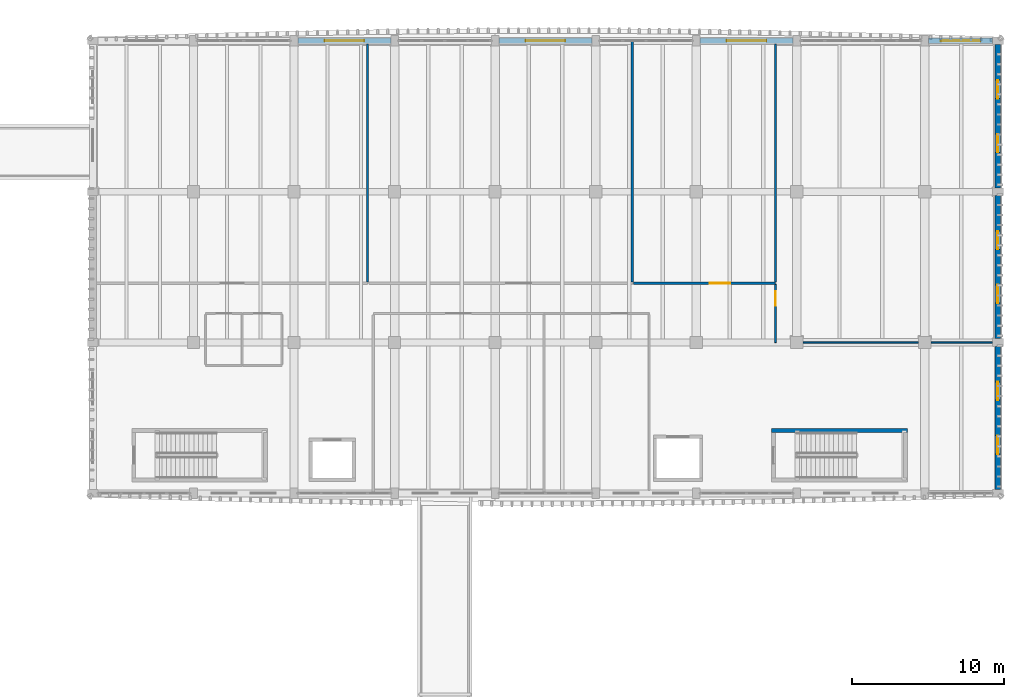
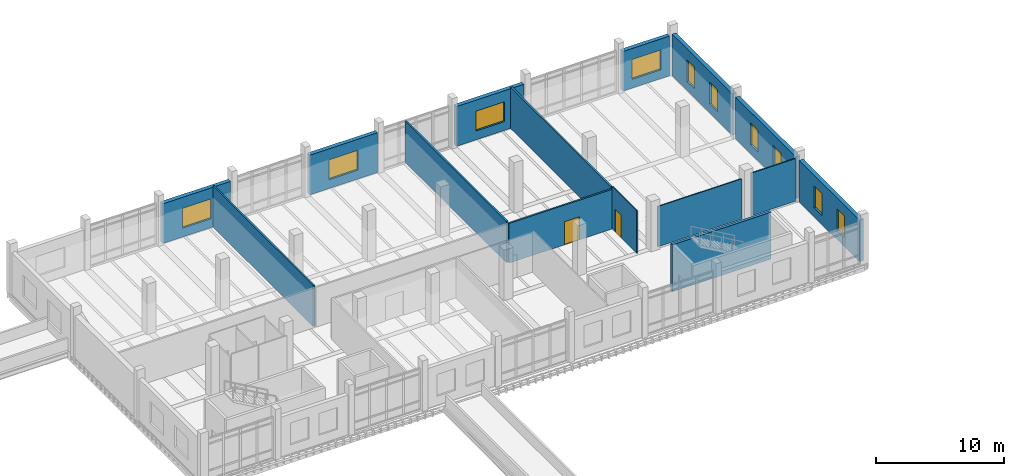
# One storey, part 78 of 101: 15 walls, 10 windows, 2 doors, 12 openings.
"""IFC4 building model written with IfcOpenShell, lengths in metres."""

from ifc_helpers import new_model, si_unit, direction, frame, frame_2d, origin, place, context, subcontext, project, spatial, rectangle, extrude, material, layer, layer_set, type_object, element, fill, save


model = new_model("IFC4")

# Units and contexts
model_context = context("Model", 3, precision=1e-05, world=origin(), true_north=direction((0.0, 1.0)))
body_context = subcontext(model_context, "Body", "Model", "MODEL_VIEW")
ifc_project = project(units=[si_unit("LENGTHUNIT", "METRE"), si_unit("AREAUNIT", "SQUARE_METRE"), si_unit("VOLUMEUNIT", "CUBIC_METRE"), si_unit("PLANEANGLEUNIT", "RADIAN"), si_unit("MASSUNIT", "GRAM", prefix="KILO")], contexts=[model_context])

# Site, building, storey
site_placement = place(None, origin())
site = spatial("IfcSite", under=ifc_project, at=site_placement, CompositionType="ELEMENT")
building_placement = place(site_placement, origin())
building = spatial("IfcBuilding", under=site, at=building_placement, Name="Dornvale Research Institute", CompositionType="ELEMENT")
storey_placement = place(building_placement, frame((0.0, 0.0, 10.199951171875)))
storey = spatial("IfcBuildingStorey", under=building, at=storey_placement, Name="L02", CompositionType="ELEMENT", Elevation=10.199951171875)

# Walls
ifc_material_1 = material(Name="Acoustic Insulated Double-Stud Laboratory Partition")
ifc_layer_1 = layer(ifc_material_1, 0.14990234375)
ifc_layer_set_1 = layer_set([ifc_layer_1], Name="Acoustic Insulated Double-Stud Laboratory Partition")
wall_type_1 = type_object("IfcWallType", Name="Partition_Lab_150", PredefinedType="PARTITIONING", material=ifc_layer_set_1)
wall_1_placement = place(storey_placement, frame((136.820068359375, 106.2900390625, 0.0), z_axis=(0.0, 0.0, 1.0), x_axis=(0.0, 1.0, 0.0)))
element("IfcWall", 1, at=wall_1_placement, inside=storey, type_object=wall_type_1, Name="L02 V4 interior partition #274", PredefinedType="PARTITIONING", context=body_context, shape_type="SweptSolid", body=[
    extrude(rectangle(XDim=15.614990234375, YDim=0.14990234375, at=frame_2d((7.8076171875, 0.0))), origin(), (0.0, 0.0, 1.0), 3.929931640625),
])
wall_2_placement = place(storey_placement, frame((154.199951171875, 106.2900390625, 0.0), z_axis=(0.0, 0.0, 1.0), x_axis=(0.0, 1.0, 0.0)))
element("IfcWall", 2, at=wall_2_placement, inside=storey, type_object=wall_type_1, Name="L02 V4 interior partition #276", PredefinedType="PARTITIONING", context=body_context, shape_type="SweptSolid", body=[
    extrude(rectangle(XDim=15.77001953125, YDim=0.14990234375, at=frame_2d((7.885009765625, 0.0))), origin(), (0.0, 0.0, 1.0), 3.929931640625),
])

# Wall, opening, door
wall_3_placement = place(storey_placement, frame((154.2900390625, 106.199951171875, 0.0), z_axis=(0.0, 0.0, 1.0), x_axis=(1.0, 0.0, 0.0)))
wall_3 = element("IfcWall", 3, at=wall_3_placement, inside=storey, type_object=wall_type_1, Name="L02 V4 interior partition #277", PredefinedType="PARTITIONING", context=body_context, shape_type="SweptSolid", body=[
    extrude(rectangle(XDim=9.31005859375, YDim=0.14990234375, at=frame_2d((4.655029296875, 0.0))), origin(), (0.0, 0.0, 1.0), 3.780029296875),
])
opening_1_placement = place(wall_3_placement, frame((4.989990234375, 0.0, 0.0)))
opening_1 = element("IfcOpeningElement", 4, at=opening_1_placement, cuts=wall_3, Name="Opening ID-15", PredefinedType="OPENING", context=body_context, shape_type="SweptSolid", body=[
    extrude(rectangle(XDim=1.340087890625, YDim=2.199951171875, at=frame_2d((0.669921875, 1.10009765625))), frame((0.0, 0.08984375, 0.0), z_axis=(0.0, -1.0, 0.0), x_axis=(1.0, 0.0, 0.0)), (0.0, 0.0, 1.0), 0.179931640625),
])
ifc_material_2 = material(Name="Insulated Fire-Rated Hollow Metal Door Assembly")
door_type_1 = type_object("IfcDoorType", Name="Door_Storage_1340x2200", OperationType="SINGLE_SWING_LEFT", PredefinedType="DOOR", material=ifc_material_2)
door_1_placement = place(opening_1_placement, origin())
door_1 = element("IfcDoor", 5, at=door_1_placement, inside=storey, type_object=door_type_1, Name="L02 Chemical Reagent Cold Storage L02 door #113", OperationType="SINGLE_SWING_RIGHT", OverallHeight=2.199951171875, OverallWidth=1.340087890625, PredefinedType="DOOR", context=body_context, shape_type="SweptSolid", body=[
    extrude(rectangle(XDim=1.340087890625, YDim=2.199951171875, at=frame_2d((0.669921875, 1.10009765625))), frame((0.0, 0.02490234375, 0.0), z_axis=(0.0, -1.0, 0.0), x_axis=(1.0, 0.0, 0.0)), (0.0, 0.0, 1.0), 0.050048828125),
])
fill(opening_1, door_1)

# Walls
wall_4_placement = place(storey_placement, frame((163.60009765625, 106.2900390625, 0.0), z_axis=(0.0, 0.0, 1.0), x_axis=(0.0, 1.0, 0.0)))
element("IfcWall", 6, at=wall_4_placement, inside=storey, type_object=wall_type_1, Name="L02 V4 interior partition #278", PredefinedType="PARTITIONING", context=body_context, shape_type="SweptSolid", body=[
    extrude(rectangle(XDim=15.614990234375, YDim=0.14990234375, at=frame_2d((7.8076171875, 0.0))), origin(), (0.0, 0.0, 1.0), 3.929931640625),
])
ifc_material_3 = material(Name="Acoustic Insulated Double-Stud Laboratory Partition")
ifc_layer_2 = layer(ifc_material_3, 0.10009765625)
ifc_layer_set_2 = layer_set([ifc_layer_2], Name="Acoustic Insulated Double-Stud Laboratory Partition")
wall_type_2 = type_object("IfcWallType", Name="Partition_Office_100", PredefinedType="PARTITIONING", material=ifc_layer_set_2)
wall_5_placement = place(storey_placement, frame((165.419921875, 102.300048828125, 0.0), z_axis=(0.0, 0.0, 1.0), x_axis=(1.0, 0.0, 0.0)))
element("IfcWall", 7, at=wall_5_placement, inside=storey, type_object=wall_type_2, Name="L02 V4 interior partition #279", PredefinedType="PARTITIONING", context=body_context, shape_type="SweptSolid", body=[
    extrude(rectangle(XDim=7.56005859375, YDim=0.10009765625, at=frame_2d((3.780029296875, 0.0))), origin(), (0.0, 0.0, 1.0), 3.830078125),
])
wall_6_placement = place(storey_placement, frame((173.820068359375, 102.300048828125, 0.0), z_axis=(0.0, 0.0, 1.0), x_axis=(1.0, 0.0, 0.0)))
element("IfcWall", 8, at=wall_6_placement, inside=storey, type_object=wall_type_2, Name="L02 V4 interior partition #280", PredefinedType="PARTITIONING", context=body_context, shape_type="SweptSolid", body=[
    extrude(rectangle(XDim=4.010009765625, YDim=0.10009765625, at=frame_2d((2.0048828125, 0.0))), origin(), (0.0, 0.0, 1.0), 4.06494140625),
])

# Wall, opening, door
wall_7_placement = place(storey_placement, frame((163.60009765625, 102.300048828125, 0.0), z_axis=(0.0, 0.0, 1.0), x_axis=(0.0, 1.0, 0.0)))
wall_7 = element("IfcWall", 9, at=wall_7_placement, inside=storey, type_object=wall_type_2, Name="L02 V4 interior partition #281", PredefinedType="PARTITIONING", context=body_context, shape_type="SweptSolid", body=[
    extrude(rectangle(XDim=3.81005859375, YDim=0.10009765625, at=frame_2d((1.905029296875, 0.0))), origin(), (0.0, 0.0, 1.0), 4.06494140625),
])
opening_2_placement = place(wall_7_placement, frame((2.419921875, 0.0, 0.0)))
opening_2 = element("IfcOpeningElement", 10, at=opening_2_placement, cuts=wall_7, Name="Opening ID-22", PredefinedType="OPENING", context=body_context, shape_type="SweptSolid", body=[
    extrude(rectangle(XDim=0.9599609375, YDim=2.14990234375, at=frame_2d((0.47998046875, 1.074951171875))), frame((0.0, 0.06494140625, 0.0), z_axis=(0.0, -1.0, 0.0), x_axis=(1.0, 0.0, 0.0)), (0.0, 0.0, 1.0), 0.130126953125),
])
ifc_material_4 = material(Name="Phenolic-Faced Solid-Core Laboratory Door Assembly")
door_type_2 = type_object("IfcDoorType", Name="Door_Office_960x2150", OperationType="SINGLE_SWING_LEFT", PredefinedType="DOOR", material=ifc_material_4)
door_2_placement = place(opening_2_placement, origin())
door_2 = element("IfcDoor", 11, at=door_2_placement, inside=storey, type_object=door_type_2, Name="L02 Principal Investigator Office L02-V4 door #114", OperationType="SINGLE_SWING_LEFT", OverallHeight=2.14990234375, OverallWidth=0.9599609375, PredefinedType="DOOR", context=body_context, shape_type="SweptSolid", body=[
    extrude(rectangle(XDim=0.9599609375, YDim=2.14990234375, at=frame_2d((0.47998046875, 1.074951171875))), frame((0.0, 0.02490234375, 0.0), z_axis=(0.0, -1.0, 0.0), x_axis=(1.0, 0.0, 0.0)), (0.0, 0.0, 1.0), 0.050048828125),
])
fill(opening_2, door_2)

# Wall
ifc_material_5 = material(Name="Concrete f'c 45 MPa (C35/45)", Category="concrete")
ifc_layer_3 = layer(ifc_material_5, 0.25)
ifc_layer_set_3 = layer_set([ifc_layer_3], Name="Concrete f'c 45 MPa (C35/45)")
wall_type_3 = type_object("IfcWallType", Name="ShearWall_Core_250", PredefinedType="SHEAR", material=ifc_layer_set_3)
wall_8_placement = place(storey_placement, frame((163.35009765625, 96.52490234375, 0.0), z_axis=(0.0, 0.0, 1.0), x_axis=(1.0, 0.0, 0.0)))
element("IfcWall", 12, at=wall_8_placement, inside=storey, type_object=wall_type_3, Name="L02 ST-4 shaft shear wall north", PredefinedType="SHEAR", context=body_context, shape_type="SweptSolid", body=[
    extrude(rectangle(XDim=8.89990234375, YDim=0.25, at=frame_2d((4.449951171875, 0.0))), origin(), (0.0, 0.0, 1.0), 4.4599609375),
])

# Wall, opening, window
ifc_material_6 = material(Name="Catalan Pressed Brick and Insulated Cavity Assembly", Category="masonry")
ifc_layer_4 = layer(ifc_material_6, 0.360107421875)
ifc_layer_set_4 = layer_set([ifc_layer_4], Name="Catalan Pressed Brick and Insulated Cavity Assembly")
wall_type_4 = type_object("IfcWallType", Name="StandardWall_BrickCavity_360", PredefinedType="STANDARD", material=ifc_layer_set_4)
wall_9_placement = place(storey_placement, frame((132.25, 122.10009765625, 0.0), z_axis=(0.0, 0.0, 1.0), x_axis=(1.0, 0.0, 0.0)))
wall_9 = element("IfcWall", 13, at=wall_9_placement, inside=storey, type_object=wall_type_4, Name="L02 V4 north exterior wall #220", PredefinedType="STANDARD", context=body_context, shape_type="SweptSolid", body=[
    extrude(rectangle(XDim=6.10009765625, YDim=0.360107421875, at=frame_2d((3.050048828125, 0.0))), origin(), (0.0, 0.0, 1.0), 3.780029296875),
])
opening_3_placement = place(wall_9_placement, frame((1.75, 0.0, 0.85009765625)))
opening_3 = element("IfcOpeningElement", 14, at=opening_3_placement, cuts=wall_9, Name="Opening W-34", PredefinedType="OPENING", context=body_context, shape_type="SweptSolid", body=[
    extrude(rectangle(XDim=2.60009765625, YDim=1.8798828125, at=frame_2d((1.300048828125, 0.93994140625))), frame((0.0, 0.195068359375, 0.0), z_axis=(0.0, -1.0, 0.0), x_axis=(1.0, 0.0, 0.0)), (0.0, 0.0, 1.0), 0.39013671875),
])
ifc_material_7 = material(Name="Low-E Argon Double Insulating Glazing Unit", Category="glass")
window_type_1 = type_object("IfcWindowType", Name="Window_Alu_2600x1880_34", PartitioningType="DOUBLE_PANEL_VERTICAL", PredefinedType="WINDOW", material=ifc_material_7)
window_1_placement = place(opening_3_placement, origin())
window_1 = element("IfcWindow", 15, at=window_1_placement, inside=storey, type_object=window_type_1, Name="L02 V4 facade window W-34 #293", OverallHeight=1.8798828125, OverallWidth=2.60009765625, PartitioningType="DOUBLE_PANEL_VERTICAL", PredefinedType="WINDOW", context=body_context, shape_type="SweptSolid", body=[
    extrude(rectangle(XDim=2.60009765625, YDim=1.8798828125, at=frame_2d((1.300048828125, 0.93994140625))), frame((0.0, 0.030029296875, 0.0), z_axis=(0.0, -1.0, 0.0), x_axis=(1.0, 0.0, 0.0)), (0.0, 0.0, 1.0), 0.06005859375),
])
fill(opening_3, window_1)

wall_10_placement = place(storey_placement, frame((145.449951171875, 122.10009765625, 0.0), z_axis=(0.0, 0.0, 1.0), x_axis=(1.0, 0.0, 0.0)))
wall_10 = element("IfcWall", 16, at=wall_10_placement, inside=storey, type_object=wall_type_4, Name="L02 V4 north exterior wall #221", PredefinedType="STANDARD", context=body_context, shape_type="SweptSolid", body=[
    extrude(rectangle(XDim=6.10009765625, YDim=0.360107421875, at=frame_2d((3.050048828125, 0.0))), origin(), (0.0, 0.0, 1.0), 3.780029296875),
])
opening_4_placement = place(wall_10_placement, frame((1.75, 0.0, 0.85009765625)))
opening_4 = element("IfcOpeningElement", 17, at=opening_4_placement, cuts=wall_10, Name="Opening W-34", PredefinedType="OPENING", context=body_context, shape_type="SweptSolid", body=[
    extrude(rectangle(XDim=2.60009765625, YDim=1.8798828125, at=frame_2d((1.300048828125, 0.93994140625))), frame((0.0, 0.195068359375, 0.0), z_axis=(0.0, -1.0, 0.0), x_axis=(1.0, 0.0, 0.0)), (0.0, 0.0, 1.0), 0.39013671875),
])
window_2_placement = place(opening_4_placement, origin())
window_2 = element("IfcWindow", 18, at=window_2_placement, inside=storey, type_object=window_type_1, Name="L02 V4 facade window W-34 #294", OverallHeight=1.8798828125, OverallWidth=2.60009765625, PartitioningType="DOUBLE_PANEL_VERTICAL", PredefinedType="WINDOW", context=body_context, shape_type="SweptSolid", body=[
    extrude(rectangle(XDim=2.60009765625, YDim=1.8798828125, at=frame_2d((1.300048828125, 0.93994140625))), frame((0.0, 0.030029296875, 0.0), z_axis=(0.0, -1.0, 0.0), x_axis=(1.0, 0.0, 0.0)), (0.0, 0.0, 1.0), 0.06005859375),
])
fill(opening_4, window_2)

wall_11_placement = place(storey_placement, frame((158.64990234375, 122.10009765625, 0.0), z_axis=(0.0, 0.0, 1.0), x_axis=(1.0, 0.0, 0.0)))
wall_11 = element("IfcWall", 19, at=wall_11_placement, inside=storey, type_object=wall_type_4, Name="L02 V4 north exterior wall #222", PredefinedType="STANDARD", context=body_context, shape_type="SweptSolid", body=[
    extrude(rectangle(XDim=6.10009765625, YDim=0.360107421875, at=frame_2d((3.050048828125, 0.0))), origin(), (0.0, 0.0, 1.0), 3.780029296875),
])
opening_5_placement = place(wall_11_placement, frame((1.75, 0.0, 0.85009765625)))
opening_5 = element("IfcOpeningElement", 20, at=opening_5_placement, cuts=wall_11, Name="Opening W-34", PredefinedType="OPENING", context=body_context, shape_type="SweptSolid", body=[
    extrude(rectangle(XDim=2.60009765625, YDim=1.8798828125, at=frame_2d((1.300048828125, 0.93994140625))), frame((0.0, 0.195068359375, 0.0), z_axis=(0.0, -1.0, 0.0), x_axis=(1.0, 0.0, 0.0)), (0.0, 0.0, 1.0), 0.39013671875),
])
window_3_placement = place(opening_5_placement, origin())
window_3 = element("IfcWindow", 21, at=window_3_placement, inside=storey, type_object=window_type_1, Name="L02 V4 facade window W-34 #295", OverallHeight=1.8798828125, OverallWidth=2.60009765625, PartitioningType="DOUBLE_PANEL_VERTICAL", PredefinedType="WINDOW", context=body_context, shape_type="SweptSolid", body=[
    extrude(rectangle(XDim=2.60009765625, YDim=1.8798828125, at=frame_2d((1.300048828125, 0.93994140625))), frame((0.0, 0.030029296875, 0.0), z_axis=(0.0, -1.0, 0.0), x_axis=(1.0, 0.0, 0.0)), (0.0, 0.0, 1.0), 0.06005859375),
])
fill(opening_5, window_3)

wall_12_placement = place(storey_placement, frame((173.64990234375, 122.10009765625, 0.0), z_axis=(0.0, 0.0, 1.0), x_axis=(1.0, 0.0, 0.0)))
wall_12 = element("IfcWall", 22, at=wall_12_placement, inside=storey, type_object=wall_type_4, Name="L02 V4 north exterior wall #223", PredefinedType="STANDARD", context=body_context, shape_type="SweptSolid", body=[
    extrude(rectangle(XDim=4.2001953125, YDim=0.360107421875, at=frame_2d((2.10009765625, 0.0))), origin(), (0.0, 0.0, 1.0), 3.780029296875),
])
opening_6_placement = place(wall_12_placement, frame((0.800048828125, 0.0, 0.85009765625)))
opening_6 = element("IfcOpeningElement", 23, at=opening_6_placement, cuts=wall_12, Name="Opening W-34", PredefinedType="OPENING", context=body_context, shape_type="SweptSolid", body=[
    extrude(rectangle(XDim=2.60009765625, YDim=1.8798828125, at=frame_2d((1.300048828125, 0.93994140625))), frame((0.0, 0.195068359375, 0.0), z_axis=(0.0, -1.0, 0.0), x_axis=(1.0, 0.0, 0.0)), (0.0, 0.0, 1.0), 0.39013671875),
])
window_4_placement = place(opening_6_placement, origin())
window_4 = element("IfcWindow", 24, at=window_4_placement, inside=storey, type_object=window_type_1, Name="L02 V4 facade window W-34 #296", OverallHeight=1.8798828125, OverallWidth=2.60009765625, PartitioningType="DOUBLE_PANEL_VERTICAL", PredefinedType="WINDOW", context=body_context, shape_type="SweptSolid", body=[
    extrude(rectangle(XDim=2.60009765625, YDim=1.8798828125, at=frame_2d((1.300048828125, 0.93994140625))), frame((0.0, 0.030029296875, 0.0), z_axis=(0.0, -1.0, 0.0), x_axis=(1.0, 0.0, 0.0)), (0.0, 0.0, 1.0), 0.06005859375),
])
fill(opening_6, window_4)

# Wall, openings, windows
wall_13_placement = place(storey_placement, frame((178.199951171875, 121.85009765625, 0.0), z_axis=(0.0, 0.0, 1.0), x_axis=(0.0, -1.0, 0.0)))
wall_13 = element("IfcWall", 25, at=wall_13_placement, inside=storey, type_object=wall_type_4, Name="L02 V4 east exterior wall #224", PredefinedType="STANDARD", context=body_context, shape_type="SweptSolid", body=[
    extrude(rectangle(XDim=9.400146484375, YDim=0.360107421875, at=frame_2d((4.7001953125, 0.0))), origin(), (0.0, 0.0, 1.0), 3.949951171875),
])
opening_7_placement = place(wall_13_placement, frame((2.333251953125, 0.0, 0.85009765625)))
opening_7 = element("IfcOpeningElement", 26, at=opening_7_placement, cuts=wall_13, Name="Opening W-37", PredefinedType="OPENING", context=body_context, shape_type="SweptSolid", body=[
    extrude(rectangle(XDim=1.199951171875, YDim=2.080078125, at=frame_2d((0.60009765625, 1.0400390625))), frame((0.0, 0.195068359375, 0.0), z_axis=(0.0, -1.0, 0.0), x_axis=(1.0, 0.0, 0.0)), (0.0, 0.0, 1.0), 0.39013671875),
])
opening_8_placement = place(wall_13_placement, frame((5.86669921875, 0.0, 0.85009765625)))
opening_8 = element("IfcOpeningElement", 27, at=opening_8_placement, cuts=wall_13, Name="Opening W-37", PredefinedType="OPENING", context=body_context, shape_type="SweptSolid", body=[
    extrude(rectangle(XDim=1.199951171875, YDim=2.080078125, at=frame_2d((0.60009765625, 1.0400390625))), frame((0.0, 0.195068359375, 0.0), z_axis=(0.0, -1.0, 0.0), x_axis=(1.0, 0.0, 0.0)), (0.0, 0.0, 1.0), 0.39013671875),
])
ifc_material_8 = material(Name="Low-E Argon Double Insulating Glazing Unit", Category="glass")
window_type_2 = type_object("IfcWindowType", Name="Window_Alu_1200x2080_37", PartitioningType="SINGLE_PANEL", PredefinedType="WINDOW", material=ifc_material_8)
window_5_placement = place(opening_7_placement, origin())
window_5 = element("IfcWindow", 28, at=window_5_placement, inside=storey, type_object=window_type_2, Name="L02 V4 facade window W-37 #297", OverallHeight=2.080078125, OverallWidth=1.199951171875, PartitioningType="SINGLE_PANEL", PredefinedType="WINDOW", context=body_context, shape_type="SweptSolid", body=[
    extrude(rectangle(XDim=1.199951171875, YDim=2.080078125, at=frame_2d((0.60009765625, 1.0400390625))), frame((0.0, 0.030029296875, 0.0), z_axis=(0.0, -1.0, 0.0), x_axis=(1.0, 0.0, 0.0)), (0.0, 0.0, 1.0), 0.06005859375),
])
fill(opening_7, window_5)
window_6_placement = place(opening_8_placement, origin())
window_6 = element("IfcWindow", 29, at=window_6_placement, inside=storey, type_object=window_type_2, Name="L02 V4 facade window W-37 #298", OverallHeight=2.080078125, OverallWidth=1.199951171875, PartitioningType="SINGLE_PANEL", PredefinedType="WINDOW", context=body_context, shape_type="SweptSolid", body=[
    extrude(rectangle(XDim=1.199951171875, YDim=2.080078125, at=frame_2d((0.60009765625, 1.0400390625))), frame((0.0, 0.030029296875, 0.0), z_axis=(0.0, -1.0, 0.0), x_axis=(1.0, 0.0, 0.0)), (0.0, 0.0, 1.0), 0.06005859375),
])
fill(opening_8, window_6)

wall_14_placement = place(storey_placement, frame((178.199951171875, 111.949951171875, 0.0), z_axis=(0.0, 0.0, 1.0), x_axis=(0.0, -1.0, 0.0)))
wall_14 = element("IfcWall", 30, at=wall_14_placement, inside=storey, type_object=wall_type_4, Name="L02 V4 east exterior wall #225", PredefinedType="STANDARD", context=body_context, shape_type="SweptSolid", body=[
    extrude(rectangle(XDim=9.39990234375, YDim=0.360107421875, at=frame_2d((4.699951171875, 0.0))), origin(), (0.0, 0.0, 1.0), 3.949951171875),
])
opening_9_placement = place(wall_14_placement, frame((2.333251953125, 0.0, 0.85009765625)))
opening_9 = element("IfcOpeningElement", 31, at=opening_9_placement, cuts=wall_14, Name="Opening W-37", PredefinedType="OPENING", context=body_context, shape_type="SweptSolid", body=[
    extrude(rectangle(XDim=1.199951171875, YDim=2.080078125, at=frame_2d((0.60009765625, 1.0400390625))), frame((0.0, 0.195068359375, 0.0), z_axis=(0.0, -1.0, 0.0), x_axis=(1.0, 0.0, 0.0)), (0.0, 0.0, 1.0), 0.39013671875),
])
opening_10_placement = place(wall_14_placement, frame((5.86669921875, 0.0, 0.85009765625)))
opening_10 = element("IfcOpeningElement", 32, at=opening_10_placement, cuts=wall_14, Name="Opening W-37", PredefinedType="OPENING", context=body_context, shape_type="SweptSolid", body=[
    extrude(rectangle(XDim=1.199951171875, YDim=2.080078125, at=frame_2d((0.60009765625, 1.0400390625))), frame((0.0, 0.195068359375, 0.0), z_axis=(0.0, -1.0, 0.0), x_axis=(1.0, 0.0, 0.0)), (0.0, 0.0, 1.0), 0.39013671875),
])
window_7_placement = place(opening_9_placement, origin())
window_7 = element("IfcWindow", 33, at=window_7_placement, inside=storey, type_object=window_type_2, Name="L02 V4 facade window W-37 #299", OverallHeight=2.080078125, OverallWidth=1.199951171875, PartitioningType="SINGLE_PANEL", PredefinedType="WINDOW", context=body_context, shape_type="SweptSolid", body=[
    extrude(rectangle(XDim=1.199951171875, YDim=2.080078125, at=frame_2d((0.60009765625, 1.0400390625))), frame((0.0, 0.030029296875, 0.0), z_axis=(0.0, -1.0, 0.0), x_axis=(1.0, 0.0, 0.0)), (0.0, 0.0, 1.0), 0.06005859375),
])
fill(opening_9, window_7)
window_8_placement = place(opening_10_placement, origin())
window_8 = element("IfcWindow", 34, at=window_8_placement, inside=storey, type_object=window_type_2, Name="L02 V4 facade window W-37 #300", OverallHeight=2.080078125, OverallWidth=1.199951171875, PartitioningType="SINGLE_PANEL", PredefinedType="WINDOW", context=body_context, shape_type="SweptSolid", body=[
    extrude(rectangle(XDim=1.199951171875, YDim=2.080078125, at=frame_2d((0.60009765625, 1.0400390625))), frame((0.0, 0.030029296875, 0.0), z_axis=(0.0, -1.0, 0.0), x_axis=(1.0, 0.0, 0.0)), (0.0, 0.0, 1.0), 0.06005859375),
])
fill(opening_10, window_8)

wall_15_placement = place(storey_placement, frame((178.199951171875, 102.050048828125, 0.0), z_axis=(0.0, 0.0, 1.0), x_axis=(0.0, -1.0, 0.0)))
wall_15 = element("IfcWall", 35, at=wall_15_placement, inside=storey, type_object=wall_type_4, Name="L02 V4 east exterior wall #226", PredefinedType="STANDARD", context=body_context, shape_type="SweptSolid", body=[
    extrude(rectangle(XDim=9.400146484375, YDim=0.360107421875, at=frame_2d((4.7001953125, 0.0))), origin(), (0.0, 0.0, 1.0), 3.949951171875),
])
opening_11_placement = place(wall_15_placement, frame((2.333251953125, 0.0, 0.85009765625)))
opening_11 = element("IfcOpeningElement", 36, at=opening_11_placement, cuts=wall_15, Name="Opening W-37", PredefinedType="OPENING", context=body_context, shape_type="SweptSolid", body=[
    extrude(rectangle(XDim=1.199951171875, YDim=2.080078125, at=frame_2d((0.60009765625, 1.0400390625))), frame((0.0, 0.195068359375, 0.0), z_axis=(0.0, -1.0, 0.0), x_axis=(1.0, 0.0, 0.0)), (0.0, 0.0, 1.0), 0.39013671875),
])
opening_12_placement = place(wall_15_placement, frame((5.86669921875, 0.0, 0.85009765625)))
opening_12 = element("IfcOpeningElement", 37, at=opening_12_placement, cuts=wall_15, Name="Opening W-37", PredefinedType="OPENING", context=body_context, shape_type="SweptSolid", body=[
    extrude(rectangle(XDim=1.199951171875, YDim=2.080078125, at=frame_2d((0.60009765625, 1.0400390625))), frame((0.0, 0.195068359375, 0.0), z_axis=(0.0, -1.0, 0.0), x_axis=(1.0, 0.0, 0.0)), (0.0, 0.0, 1.0), 0.39013671875),
])
window_9_placement = place(opening_11_placement, origin())
window_9 = element("IfcWindow", 38, at=window_9_placement, inside=storey, type_object=window_type_2, Name="L02 V4 facade window W-37 #301", OverallHeight=2.080078125, OverallWidth=1.199951171875, PartitioningType="SINGLE_PANEL", PredefinedType="WINDOW", context=body_context, shape_type="SweptSolid", body=[
    extrude(rectangle(XDim=1.199951171875, YDim=2.080078125, at=frame_2d((0.60009765625, 1.0400390625))), frame((0.0, 0.030029296875, 0.0), z_axis=(0.0, -1.0, 0.0), x_axis=(1.0, 0.0, 0.0)), (0.0, 0.0, 1.0), 0.06005859375),
])
fill(opening_11, window_9)
window_10_placement = place(opening_12_placement, origin())
window_10 = element("IfcWindow", 39, at=window_10_placement, inside=storey, type_object=window_type_2, Name="L02 V4 facade window W-37 #302", OverallHeight=2.080078125, OverallWidth=1.199951171875, PartitioningType="SINGLE_PANEL", PredefinedType="WINDOW", context=body_context, shape_type="SweptSolid", body=[
    extrude(rectangle(XDim=1.199951171875, YDim=2.080078125, at=frame_2d((0.60009765625, 1.0400390625))), frame((0.0, 0.030029296875, 0.0), z_axis=(0.0, -1.0, 0.0), x_axis=(1.0, 0.0, 0.0)), (0.0, 0.0, 1.0), 0.06005859375),
])
fill(opening_12, window_10)

save(model, "model.ifc")
